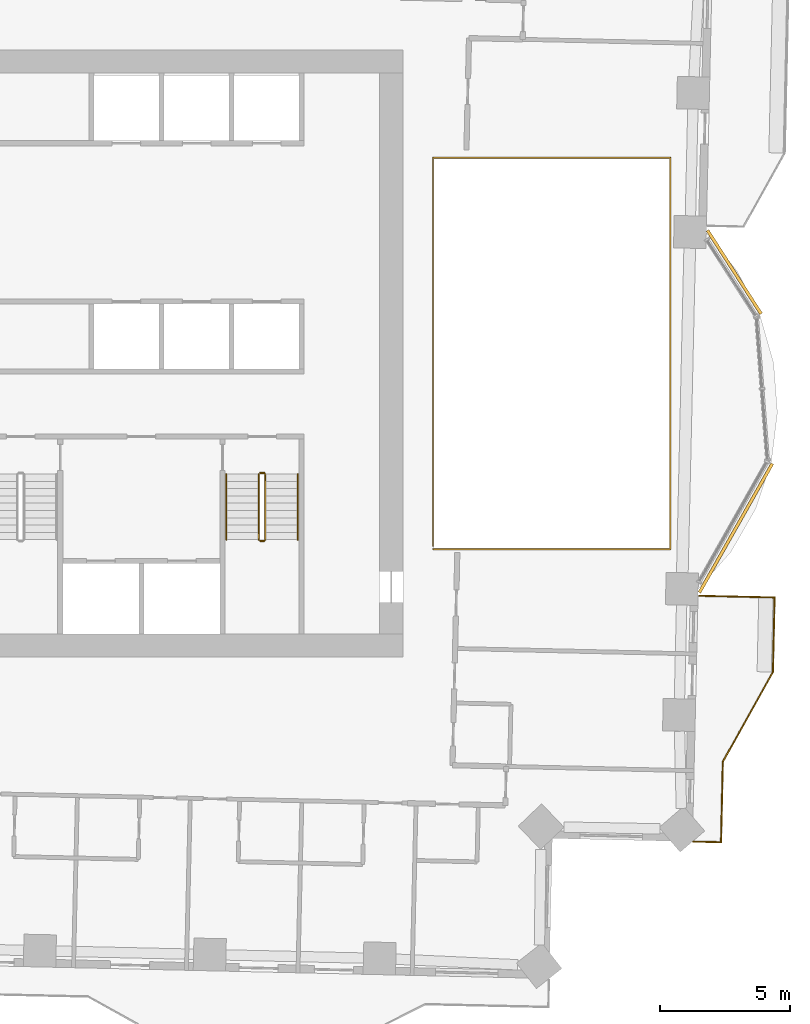
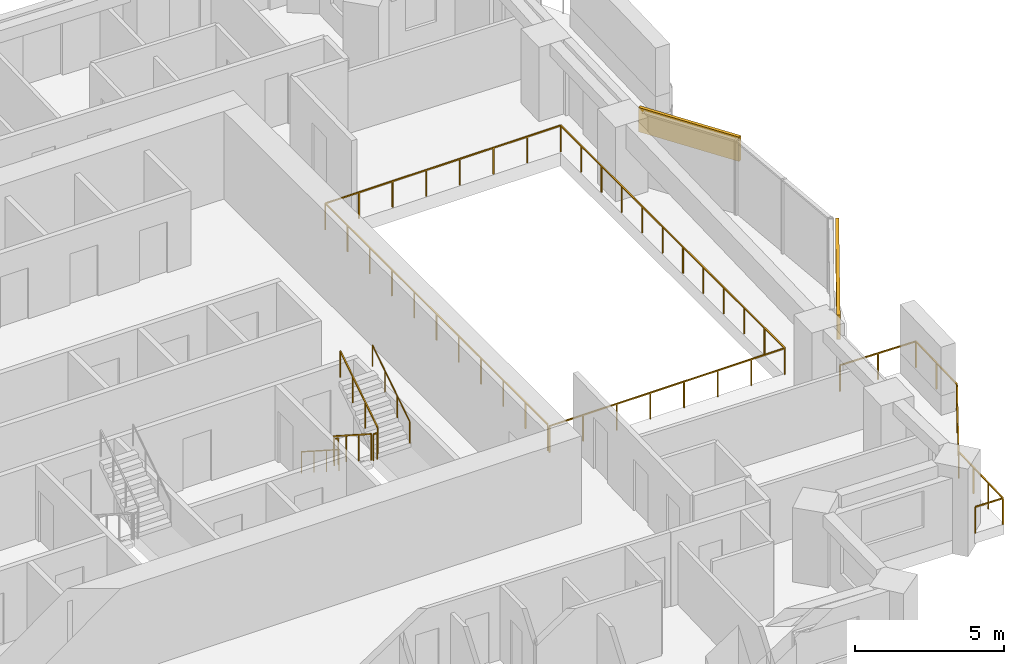
# One storey, part 13 of 14: 8 railings, 2 coverings.
"""IFC4 building model written with IfcOpenShell, lengths in metres."""

from ifc_helpers import new_model, si_unit, direction, frame, frame_2d, origin, origin_2d, place, context, subcontext, project, spatial, rectangle, circle, extrude, material, layer, layer_set, type_object, element, save


model = new_model("IFC4")

# Units and contexts
model_context = context("Model", 3, precision=1e-05, world=origin(), true_north=direction((0.0, 1.0)))
body_context = subcontext(model_context, "Body", "Model", "MODEL_VIEW")
ifc_project = project(units=[si_unit("LENGTHUNIT", "METRE"), si_unit("AREAUNIT", "SQUARE_METRE"), si_unit("VOLUMEUNIT", "CUBIC_METRE"), si_unit("PLANEANGLEUNIT", "RADIAN"), si_unit("MASSUNIT", "GRAM", prefix="KILO")], contexts=[model_context])

# Site, building, storey
site_placement = place(None, origin())
site = spatial("IfcSite", under=ifc_project, at=site_placement, CompositionType="ELEMENT")
building_placement = place(site_placement, origin())
building = spatial("IfcBuilding", under=site, at=building_placement, Name="Mangrove Gate Tower", CompositionType="ELEMENT")
storey_placement = place(building_placement, frame((0.0, 0.0, 163.5)))
storey = spatial("IfcBuildingStorey", under=building, at=storey_placement, Name="L41", CompositionType="ELEMENT", Elevation=163.5)

# Railings
ifc_material_1 = material(Name="Stainless steel grade 316 with laminated glass infill", Category="steel")
railing_type_1 = type_object("IfcRailingType", Name="Balcony guard 1100", PredefinedType="GUARDRAIL", material=ifc_material_1)
railing_1_placement = place(storey_placement, frame((25.89697265625, -18.805908203125, 0.0)))
element("IfcRailing", 1, at=railing_1_placement, inside=storey, type_object=railing_type_1, Name="GUARD L41 E1", PredefinedType="GUARDRAIL", context=body_context, shape_type="SweptSolid", body=[
    extrude(rectangle(XDim=0.048095703125, YDim=0.048095703125, at=origin_2d()), frame((0.0, 0.0, 1.076171875), z_axis=(0.999740168701, -0.022794628443, 0.0), x_axis=(0.022794628443, 0.999740168701, 0.0)), (0.0, 0.0, 1.0), 1.060302734375),
    extrude(rectangle(XDim=0.048095703125, YDim=0.048095703125, at=origin_2d()), frame((1.06005859375, -0.024169921875, 1.076171875), z_axis=(0.022596213667, 0.999744672968, 0.0), x_axis=(-0.999744672968, 0.022596213667, 0.0)), (0.0, 0.0, 1.0), 3.100830078125),
    extrude(rectangle(XDim=0.048095703125, YDim=0.048095703125, at=origin_2d()), frame((1.130126953125, 3.075927734375, 1.076171875), z_axis=(0.48726008209, 0.87325689943, 0.0), x_axis=(-0.87325689943, 0.48726008209, 0.0)), (0.0, 0.0, 1.0), 3.958740234375),
    extrude(rectangle(XDim=0.048095703125, YDim=0.048095703125, at=origin_2d()), frame((3.05908203125, 6.532958984375, 1.076171875), z_axis=(0.022590224177, 0.999744808324, 0.0), x_axis=(-0.999744808324, 0.022590224177, 0.0)), (0.0, 0.0, 1.0), 2.874755859375),
    extrude(rectangle(XDim=0.048095703125, YDim=0.048095703125, at=origin_2d()), frame((3.1240234375, 9.406982421875, 1.076171875), z_axis=(-0.999750894749, 0.022319239446, 0.0), x_axis=(-0.022319239446, -0.999750894749, 0.0)), (0.0, 0.0, 1.0), 2.90966796875),
    extrude(rectangle(XDim=0.0419921875, YDim=0.0419921875, at=origin_2d()), origin(), (0.0, 0.0, 1.0), 1.052001953125),
    extrude(rectangle(XDim=0.0419921875, YDim=0.0419921875, at=origin_2d()), frame((1.06005859375, -0.024169921875, 0.0)), (0.0, 0.0, 1.0), 1.052001953125),
    extrude(rectangle(XDim=0.0419921875, YDim=0.0419921875, at=origin_2d()), frame((1.08349609375, 1.00927734375, 0.0)), (0.0, 0.0, 1.0), 1.052001953125),
    extrude(rectangle(XDim=0.0419921875, YDim=0.0419921875, at=origin_2d()), frame((1.106689453125, 2.04248046875, 0.0)), (0.0, 0.0, 1.0), 1.052001953125),
    extrude(rectangle(XDim=0.0419921875, YDim=0.0419921875, at=origin_2d()), frame((1.130126953125, 3.075927734375, 0.0)), (0.0, 0.0, 1.0), 1.052001953125),
    extrude(rectangle(XDim=0.0419921875, YDim=0.0419921875, at=origin_2d()), frame((1.773193359375, 4.228271484375, 0.0)), (0.0, 0.0, 1.0), 1.052001953125),
    extrude(rectangle(XDim=0.0419921875, YDim=0.0419921875, at=origin_2d()), frame((2.416015625, 5.380615234375, 0.0)), (0.0, 0.0, 1.0), 1.052001953125),
    extrude(rectangle(XDim=0.0419921875, YDim=0.0419921875, at=origin_2d()), frame((3.05908203125, 6.532958984375, 0.0)), (0.0, 0.0, 1.0), 1.052001953125),
    extrude(rectangle(XDim=0.0419921875, YDim=0.0419921875, at=origin_2d()), frame((3.091552734375, 7.969970703125, 0.0)), (0.0, 0.0, 1.0), 1.052001953125),
    extrude(rectangle(XDim=0.0419921875, YDim=0.0419921875, at=origin_2d()), frame((3.1240234375, 9.406982421875, 0.0)), (0.0, 0.0, 1.0), 1.052001953125),
    extrude(rectangle(XDim=0.0419921875, YDim=0.0419921875, at=origin_2d()), frame((1.66943359375, 9.439453125, 0.0)), (0.0, 0.0, 1.0), 1.052001953125),
    extrude(rectangle(XDim=0.0419921875, YDim=0.0419921875, at=origin_2d()), frame((0.215087890625, 9.471923828125, 0.0)), (0.0, 0.0, 1.0), 1.052001953125),
])
railing_2_placement = place(storey_placement, frame((15.860107421875, -7.5400390625, 0.0)))
element("IfcRailing", 2, at=railing_2_placement, inside=storey, type_object=railing_type_1, Name="GUARD L41 atrium", PredefinedType="GUARDRAIL", context=body_context, shape_type="SweptSolid", body=[
    extrude(rectangle(XDim=0.048095703125, YDim=0.048095703125, at=origin_2d()), frame((0.0, 0.0, 1.076171875), z_axis=(1.0, 0.0, 0.0), x_axis=(0.0, 1.0, 0.0)), (0.0, 0.0, 1.0), 9.143798828125),
    extrude(rectangle(XDim=0.048095703125, YDim=0.048095703125, at=origin_2d()), frame((9.143798828125, 0.0, 1.076171875), z_axis=(0.0, 1.0, 0.0), x_axis=(-1.0, 0.0, 0.0)), (0.0, 0.0, 1.0), 15.080078125),
    extrude(rectangle(XDim=0.048095703125, YDim=0.048095703125, at=origin_2d()), frame((9.143798828125, 15.080078125, 1.076171875), z_axis=(-1.0, 0.0, 0.0), x_axis=(0.0, -1.0, 0.0)), (0.0, 0.0, 1.0), 9.143798828125),
    extrude(rectangle(XDim=0.048095703125, YDim=0.048095703125, at=origin_2d()), frame((0.0, 15.080078125, 1.076171875), z_axis=(0.0, -1.0, 0.0), x_axis=(1.0, 0.0, 0.0)), (0.0, 0.0, 1.0), 14.9599609375),
    extrude(rectangle(XDim=0.0419921875, YDim=0.0419921875, at=origin_2d()), origin(), (0.0, 0.0, 1.0), 1.052001953125),
    extrude(rectangle(XDim=0.0419921875, YDim=0.0419921875, at=origin_2d()), frame((1.30615234375, 0.0, 0.0)), (0.0, 0.0, 1.0), 1.052001953125),
    extrude(rectangle(XDim=0.0419921875, YDim=0.0419921875, at=origin_2d()), frame((2.612548828125, 0.0, 0.0)), (0.0, 0.0, 1.0), 1.052001953125),
    extrude(rectangle(XDim=0.0419921875, YDim=0.0419921875, at=origin_2d()), frame((3.918701171875, 0.0, 0.0)), (0.0, 0.0, 1.0), 1.052001953125),
    extrude(rectangle(XDim=0.0419921875, YDim=0.0419921875, at=origin_2d()), frame((5.22509765625, 0.0, 0.0)), (0.0, 0.0, 1.0), 1.052001953125),
    extrude(rectangle(XDim=0.0419921875, YDim=0.0419921875, at=origin_2d()), frame((6.53125, 0.0, 0.0)), (0.0, 0.0, 1.0), 1.052001953125),
    extrude(rectangle(XDim=0.0419921875, YDim=0.0419921875, at=origin_2d()), frame((7.837646484375, 0.0, 0.0)), (0.0, 0.0, 1.0), 1.052001953125),
    extrude(rectangle(XDim=0.0419921875, YDim=0.0419921875, at=origin_2d()), frame((9.143798828125, 0.0, 0.0)), (0.0, 0.0, 1.0), 1.052001953125),
    extrude(rectangle(XDim=0.0419921875, YDim=0.0419921875, at=origin_2d()), frame((9.143798828125, 1.370849609375, 0.0)), (0.0, 0.0, 1.0), 1.052001953125),
    extrude(rectangle(XDim=0.0419921875, YDim=0.0419921875, at=origin_2d()), frame((9.143798828125, 2.741943359375, 0.0)), (0.0, 0.0, 1.0), 1.052001953125),
    extrude(rectangle(XDim=0.0419921875, YDim=0.0419921875, at=origin_2d()), frame((9.143798828125, 4.11279296875, 0.0)), (0.0, 0.0, 1.0), 1.052001953125),
    extrude(rectangle(XDim=0.0419921875, YDim=0.0419921875, at=origin_2d()), frame((9.143798828125, 5.483642578125, 0.0)), (0.0, 0.0, 1.0), 1.052001953125),
    extrude(rectangle(XDim=0.0419921875, YDim=0.0419921875, at=origin_2d()), frame((9.143798828125, 6.8544921875, 0.0)), (0.0, 0.0, 1.0), 1.052001953125),
    extrude(rectangle(XDim=0.0419921875, YDim=0.0419921875, at=origin_2d()), frame((9.143798828125, 8.2255859375, 0.0)), (0.0, 0.0, 1.0), 1.052001953125),
    extrude(rectangle(XDim=0.0419921875, YDim=0.0419921875, at=origin_2d()), frame((9.143798828125, 9.596435546875, 0.0)), (0.0, 0.0, 1.0), 1.052001953125),
    extrude(rectangle(XDim=0.0419921875, YDim=0.0419921875, at=origin_2d()), frame((9.143798828125, 10.96728515625, 0.0)), (0.0, 0.0, 1.0), 1.052001953125),
    extrude(rectangle(XDim=0.0419921875, YDim=0.0419921875, at=origin_2d()), frame((9.143798828125, 12.338134765625, 0.0)), (0.0, 0.0, 1.0), 1.052001953125),
    extrude(rectangle(XDim=0.0419921875, YDim=0.0419921875, at=origin_2d()), frame((9.143798828125, 13.709228515625, 0.0)), (0.0, 0.0, 1.0), 1.052001953125),
    extrude(rectangle(XDim=0.0419921875, YDim=0.0419921875, at=origin_2d()), frame((9.143798828125, 15.080078125, 0.0)), (0.0, 0.0, 1.0), 1.052001953125),
    extrude(rectangle(XDim=0.0419921875, YDim=0.0419921875, at=origin_2d()), frame((7.837646484375, 15.080078125, 0.0)), (0.0, 0.0, 1.0), 1.052001953125),
    extrude(rectangle(XDim=0.0419921875, YDim=0.0419921875, at=origin_2d()), frame((6.53125, 15.080078125, 0.0)), (0.0, 0.0, 1.0), 1.052001953125),
    extrude(rectangle(XDim=0.0419921875, YDim=0.0419921875, at=origin_2d()), frame((5.22509765625, 15.080078125, 0.0)), (0.0, 0.0, 1.0), 1.052001953125),
    extrude(rectangle(XDim=0.0419921875, YDim=0.0419921875, at=origin_2d()), frame((3.918701171875, 15.080078125, 0.0)), (0.0, 0.0, 1.0), 1.052001953125),
    extrude(rectangle(XDim=0.0419921875, YDim=0.0419921875, at=origin_2d()), frame((2.612548828125, 15.080078125, 0.0)), (0.0, 0.0, 1.0), 1.052001953125),
    extrude(rectangle(XDim=0.0419921875, YDim=0.0419921875, at=origin_2d()), frame((1.30615234375, 15.080078125, 0.0)), (0.0, 0.0, 1.0), 1.052001953125),
    extrude(rectangle(XDim=0.0419921875, YDim=0.0419921875, at=origin_2d()), frame((0.0, 15.080078125, 0.0)), (0.0, 0.0, 1.0), 1.052001953125),
    extrude(rectangle(XDim=0.0419921875, YDim=0.0419921875, at=origin_2d()), frame((0.0, 13.583984375, 0.0)), (0.0, 0.0, 1.0), 1.052001953125),
    extrude(rectangle(XDim=0.0419921875, YDim=0.0419921875, at=origin_2d()), frame((0.0, 12.088134765625, 0.0)), (0.0, 0.0, 1.0), 1.052001953125),
    extrude(rectangle(XDim=0.0419921875, YDim=0.0419921875, at=origin_2d()), frame((0.0, 10.592041015625, 0.0)), (0.0, 0.0, 1.0), 1.052001953125),
    extrude(rectangle(XDim=0.0419921875, YDim=0.0419921875, at=origin_2d()), frame((0.0, 9.09619140625, 0.0)), (0.0, 0.0, 1.0), 1.052001953125),
    extrude(rectangle(XDim=0.0419921875, YDim=0.0419921875, at=origin_2d()), frame((0.0, 7.60009765625, 0.0)), (0.0, 0.0, 1.0), 1.052001953125),
    extrude(rectangle(XDim=0.0419921875, YDim=0.0419921875, at=origin_2d()), frame((0.0, 6.10400390625, 0.0)), (0.0, 0.0, 1.0), 1.052001953125),
    extrude(rectangle(XDim=0.0419921875, YDim=0.0419921875, at=origin_2d()), frame((0.0, 4.608154296875, 0.0)), (0.0, 0.0, 1.0), 1.052001953125),
    extrude(rectangle(XDim=0.0419921875, YDim=0.0419921875, at=origin_2d()), frame((0.0, 3.112060546875, 0.0)), (0.0, 0.0, 1.0), 1.052001953125),
    extrude(rectangle(XDim=0.0419921875, YDim=0.0419921875, at=origin_2d()), frame((0.0, 1.6162109375, 0.0)), (0.0, 0.0, 1.0), 1.052001953125),
    extrude(rectangle(XDim=0.0419921875, YDim=0.0419921875, at=origin_2d()), frame((0.0, 0.1201171875, 0.0)), (0.0, 0.0, 1.0), 1.052001953125),
])
ifc_material_2 = material(Name="Stainless steel 316", Category="steel")
railing_type_2 = type_object("IfcRailingType", Name="Core stair guard 1100", PredefinedType="GUARDRAIL", material=ifc_material_2)
railing_3_placement = place(storey_placement, frame((9.14990234375, -4.64990234375, 0.179931640625)))
element("IfcRailing", 3, at=railing_3_placement, inside=storey, type_object=railing_type_2, Name="L41 ST3 stair guard 1", PredefinedType="GUARDRAIL", context=body_context, shape_type="SweptSolid", body=[
    extrude(rectangle(XDim=0.048095703125, YDim=0.048095703125, at=origin_2d()), frame((0.0, 0.0, 1.076171875), z_axis=(0.0, -0.841162588446, 0.540782303519), x_axis=(1.0, 0.0, 0.0)), (0.0, 0.0, 1.0), 2.995849609375),
    extrude(rectangle(XDim=0.0419921875, YDim=0.0419921875, at=origin_2d()), origin(), (0.0, 0.0, 1.0), 1.052001953125),
    extrude(rectangle(XDim=0.0419921875, YDim=0.0419921875, at=origin_2d()), frame((0.0, -0.840087890625, 0.5400390625)), (0.0, 0.0, 1.0), 1.052001953125),
    extrude(rectangle(XDim=0.0419921875, YDim=0.0419921875, at=origin_2d()), frame((0.0, -1.679931640625, 1.080078125)), (0.0, 0.0, 1.0), 1.052001953125),
    extrude(rectangle(XDim=0.0419921875, YDim=0.0419921875, at=origin_2d()), frame((0.0, -2.52001953125, 1.6201171875)), (0.0, 0.0, 1.0), 1.052001953125),
])
railing_4_placement = place(storey_placement, frame((9.199951171875, -7.219970703125, 1.800048828125)))
element("IfcRailing", 4, at=railing_4_placement, inside=storey, type_object=railing_type_2, Name="L41 ST3 stair guard 2", PredefinedType="GUARDRAIL", context=body_context, shape_type="SweptSolid", body=[
    extrude(rectangle(XDim=0.048095703125, YDim=0.048095703125, at=origin_2d()), frame((0.0, 0.0, 1.076171875), z_axis=(1.0, 0.0, 0.0), x_axis=(0.0, 1.0, 0.0)), (0.0, 0.0, 1.0), 0.150146484375),
    extrude(rectangle(XDim=0.0419921875, YDim=0.0419921875, at=origin_2d()), origin(), (0.0, 0.0, 1.0), 1.052001953125),
    extrude(rectangle(XDim=0.0419921875, YDim=0.0419921875, at=origin_2d()), frame((0.150146484375, 0.0, 0.0)), (0.0, 0.0, 1.0), 1.052001953125),
])
railing_5_placement = place(storey_placement, frame((9.39990234375, -7.169921875, 1.97998046875)))
element("IfcRailing", 5, at=railing_5_placement, inside=storey, type_object=railing_type_2, Name="L41 ST3 stair guard 3", PredefinedType="GUARDRAIL", context=body_context, shape_type="SweptSolid", body=[
    extrude(rectangle(XDim=0.048095703125, YDim=0.048095703125, at=origin_2d()), frame((0.0, 0.0, 1.076171875), z_axis=(0.0, 0.841162588446, 0.540782303519), x_axis=(-1.0, 0.0, 0.0)), (0.0, 0.0, 1.0), 2.995849609375),
    extrude(rectangle(XDim=0.0419921875, YDim=0.0419921875, at=origin_2d()), origin(), (0.0, 0.0, 1.0), 1.052001953125),
    extrude(rectangle(XDim=0.0419921875, YDim=0.0419921875, at=origin_2d()), frame((0.0, 0.840087890625, 0.5400390625)), (0.0, 0.0, 1.0), 1.052001953125),
    extrude(rectangle(XDim=0.0419921875, YDim=0.0419921875, at=origin_2d()), frame((0.0, 1.679931640625, 1.080078125)), (0.0, 0.0, 1.0), 1.052001953125),
    extrude(rectangle(XDim=0.0419921875, YDim=0.0419921875, at=origin_2d()), frame((0.0, 2.52001953125, 1.6201171875)), (0.0, 0.0, 1.0), 1.052001953125),
])
railing_6_placement = place(storey_placement, frame((9.199951171875, -4.60009765625, 0.0)))
element("IfcRailing", 6, at=railing_6_placement, inside=storey, type_object=railing_type_2, Name="L41 ST3 stair guard 4", PredefinedType="GUARDRAIL", context=body_context, shape_type="SweptSolid", body=[
    extrude(rectangle(XDim=0.048095703125, YDim=0.048095703125, at=origin_2d()), frame((0.0, 0.0, 1.076171875), z_axis=(1.0, 0.0, 0.0), x_axis=(0.0, 1.0, 0.0)), (0.0, 0.0, 1.0), 0.150146484375),
    extrude(rectangle(XDim=0.0419921875, YDim=0.0419921875, at=origin_2d()), origin(), (0.0, 0.0, 1.0), 1.052001953125),
    extrude(rectangle(XDim=0.0419921875, YDim=0.0419921875, at=origin_2d()), frame((0.150146484375, 0.0, 0.0)), (0.0, 0.0, 1.0), 1.052001953125),
])
ifc_material_3 = material(Name="Stainless steel 316", Category="steel")
railing_type_3 = type_object("IfcRailingType", Name="Core stair handrail 900", PredefinedType="HANDRAIL", material=ifc_material_3)
railing_7_placement = place(storey_placement, frame((7.89990234375, -4.64990234375, 0.179931640625)))
element("IfcRailing", 7, at=railing_7_placement, inside=storey, type_object=railing_type_3, Name="L41 ST3 stair handrail 1", PredefinedType="HANDRAIL", context=body_context, shape_type="SweptSolid", body=[
    extrude(circle(Radius=0.02392578125, at=origin_2d()), frame((0.0, 0.0, 0.8759765625), z_axis=(0.0, -0.841162588446, 0.540782303519), x_axis=(1.0, 0.0, 0.0)), (0.0, 0.0, 1.0), 2.995849609375),
    extrude(circle(Radius=0.02099609375, at=origin_2d()), origin(), (0.0, 0.0, 1.0), 0.851806640625),
    extrude(circle(Radius=0.02099609375, at=origin_2d()), frame((0.0, -0.840087890625, 0.5400390625)), (0.0, 0.0, 1.0), 0.851806640625),
    extrude(circle(Radius=0.02099609375, at=origin_2d()), frame((0.0, -1.679931640625, 1.080078125)), (0.0, 0.0, 1.0), 0.851806640625),
    extrude(circle(Radius=0.02099609375, at=origin_2d()), frame((0.0, -2.52001953125, 1.6201171875)), (0.0, 0.0, 1.0), 0.851806640625),
])
railing_8_placement = place(storey_placement, frame((10.64990234375, -7.169921875, 1.97998046875)))
element("IfcRailing", 8, at=railing_8_placement, inside=storey, type_object=railing_type_3, Name="L41 ST3 stair handrail 2", PredefinedType="HANDRAIL", context=body_context, shape_type="SweptSolid", body=[
    extrude(circle(Radius=0.02392578125, at=origin_2d()), frame((0.0, 0.0, 0.8759765625), z_axis=(0.0, 0.841162588446, 0.540782303519), x_axis=(-1.0, 0.0, 0.0)), (0.0, 0.0, 1.0), 2.995849609375),
    extrude(circle(Radius=0.02099609375, at=origin_2d()), origin(), (0.0, 0.0, 1.0), 0.851806640625),
    extrude(circle(Radius=0.02099609375, at=origin_2d()), frame((0.0, 0.840087890625, 0.5400390625)), (0.0, 0.0, 1.0), 0.851806640625),
    extrude(circle(Radius=0.02099609375, at=origin_2d()), frame((0.0, 1.679931640625, 1.080078125)), (0.0, 0.0, 1.0), 0.851806640625),
    extrude(circle(Radius=0.02099609375, at=origin_2d()), frame((0.0, 2.52001953125, 1.6201171875)), (0.0, 0.0, 1.0), 0.851806640625),
])

# Coverings
ifc_material_4 = material(Name="Limestone", Category="masonry")
ifc_layer_1 = layer(ifc_material_4, 0.0400390625, Name="Limestone cladding")
ifc_material_5 = material(Name="Stainless steel anchors and cavity", Category="steel")
ifc_layer_2 = layer(ifc_material_5, 0.080078125, Name="Fixing cavity")
ifc_layer_set = layer_set([ifc_layer_1, ifc_layer_2], Name="Joint fascia cladding 120")
covering_type = type_object("IfcCoveringType", Name="Joint fascia cladding 120", PredefinedType="CLADDING", material=ifc_layer_set)
covering_1_placement = place(storey_placement, frame((26.125, -9.208984375, 2.050048828125), z_axis=(0.0, 0.0, 1.0), x_axis=(0.492475934062, 0.870326062099, 0.0)))
element("IfcCovering", 9, at=covering_1_placement, inside=storey, type_object=covering_type, Name="STONE FASCIA L41 E1.L1", PredefinedType="CLADDING", context=body_context, shape_type="SweptSolid", body=[
    extrude(rectangle(XDim=5.7060546875, YDim=0.1201171875, at=frame_2d((2.85302734375, 0.0))), origin(), (0.0, 0.0, 1.0), 1.0),
])
covering_2_placement = place(storey_placement, frame((28.5, 1.530029296875, 2.050048828125), z_axis=(0.0, 0.0, 1.0), x_axis=(-0.540486138148, 0.841352919095, 0.0)))
element("IfcCovering", 10, at=covering_2_placement, inside=storey, type_object=covering_type, Name="STONE FASCIA L41 E1.L2", PredefinedType="CLADDING", context=body_context, shape_type="SweptSolid", body=[
    extrude(rectangle(XDim=3.818603515625, YDim=0.1201171875, at=frame_2d((1.9091796875, 0.0))), origin(), (0.0, 0.0, 1.0), 1.0),
])

save(model, "model.ifc")
